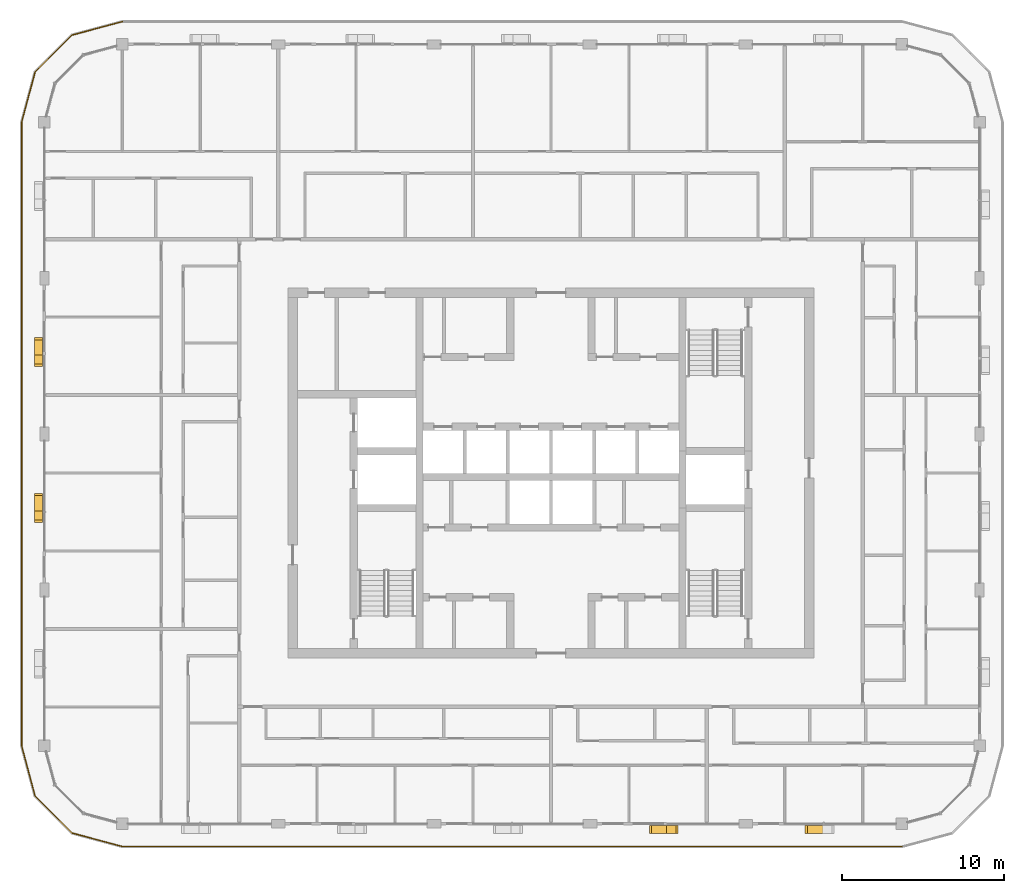
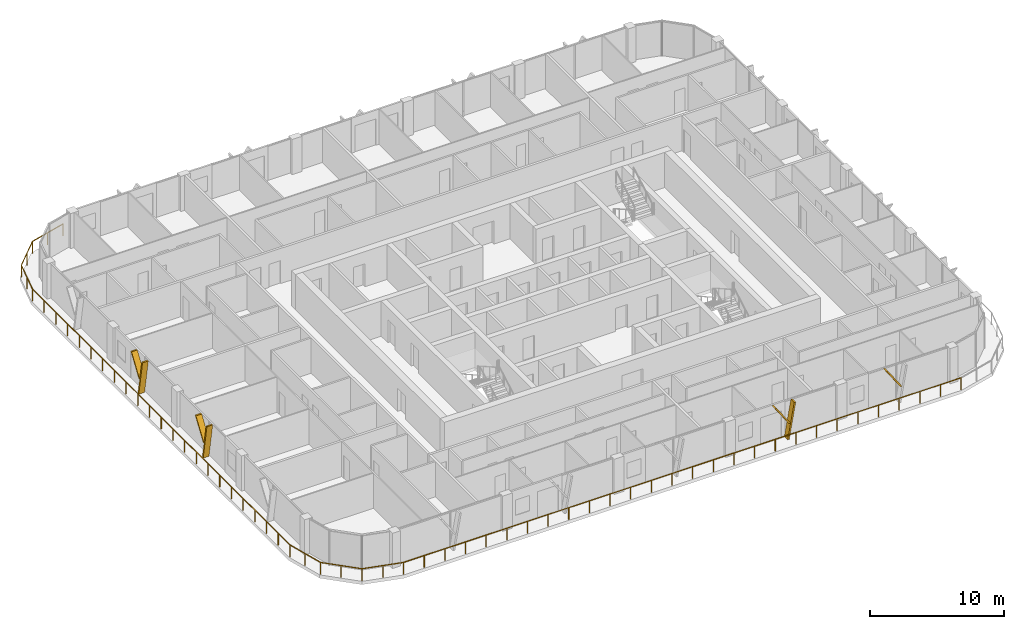
# One storey, part 17 of 21: 7 shading devices, 1 railing.
"""IFC4 building model written with IfcOpenShell, lengths in metres."""

from ifc_helpers import new_model, si_unit, direction, frame, origin, origin_2d, place, context, subcontext, project, spatial, polyline, circle, outline, extrude, material, type_object, element, save


model = new_model("IFC4")

# Units and contexts
model_context = context("Model", 3, precision=1e-05, world=origin(), true_north=direction((0.0, 1.0)))
body_context = subcontext(model_context, "Body", "Model", "MODEL_VIEW")
ifc_project = project(units=[si_unit("LENGTHUNIT", "METRE"), si_unit("AREAUNIT", "SQUARE_METRE"), si_unit("VOLUMEUNIT", "CUBIC_METRE"), si_unit("PLANEANGLEUNIT", "RADIAN"), si_unit("MASSUNIT", "GRAM", prefix="KILO")], contexts=[model_context])

# Site, building, storey
site_placement = place(None, origin())
site = spatial("IfcSite", under=ifc_project, at=site_placement, CompositionType="ELEMENT")
building_placement = place(site_placement, origin())
building = spatial("IfcBuilding", under=site, at=building_placement, Name="Madar Terraces", CompositionType="ELEMENT")
storey_placement = place(building_placement, frame((0.0, 0.0, 245.699951171875)))
storey = spatial("IfcBuildingStorey", under=building, at=storey_placement, Name="L64", CompositionType="ELEMENT", Elevation=245.699951171875)

# Railing
ifc_material_1 = material(Name="Glass, safety glazing, with stainless steel posts", Category="steel")
railing_type = type_object("IfcRailingType", Name="Balcony glass guard 1100", PredefinedType="GUARDRAIL", material=ifc_material_1)
railing_placement = place(storey_placement, frame((4.800048828125, 54.199951171875, 0.0)))
element("IfcRailing", 1, at=railing_placement, inside=storey, type_object=railing_type, Name="Balcony guard", PredefinedType="GUARDRAIL", context=body_context, shape_type="SweptSolid", body=[
    extrude(circle(Radius=0.02392578125, at=origin_2d()), frame((0.0, 0.0, 1.076171875), z_axis=(-0.9659337912, -0.258789317819, 0.0), x_axis=(0.258789317819, -0.9659337912, 0.0)), (0.0, 0.0, 1.0), 3.20947265625),
    extrude(circle(Radius=0.02392578125, at=origin_2d()), frame((-3.10009765625, -0.83056640625, 1.076171875), z_axis=(-0.707106781187, -0.707106781187, 0.0), x_axis=(0.707106781187, -0.707106781187, 0.0)), (0.0, 0.0, 1.0), 3.209228515625),
    extrude(circle(Radius=0.02392578125, at=origin_2d()), frame((-5.369384765625, -3.099853515625, 1.076171875), z_axis=(-0.258789317819, -0.9659337912, 0.0), x_axis=(0.9659337912, -0.258789317819, 0.0)), (0.0, 0.0, 1.0), 3.20947265625),
    extrude(circle(Radius=0.02392578125, at=origin_2d()), frame((-6.199951171875, -6.199951171875, 1.076171875), z_axis=(0.0, -1.0, 0.0), x_axis=(1.0, 0.0, 0.0)), (0.0, 0.0, 1.0), 38.39990234375),
    extrude(circle(Radius=0.02392578125, at=origin_2d()), frame((-6.199951171875, -44.599853515625, 1.076171875), z_axis=(0.258789317819, -0.9659337912, 0.0), x_axis=(0.9659337912, 0.258789317819, 0.0)), (0.0, 0.0, 1.0), 3.20947265625),
    extrude(circle(Radius=0.02392578125, at=origin_2d()), frame((-5.369384765625, -47.699951171875, 1.076171875), z_axis=(0.707106781187, -0.707106781187, 0.0), x_axis=(0.707106781187, 0.707106781187, 0.0)), (0.0, 0.0, 1.0), 3.209228515625),
    extrude(circle(Radius=0.02392578125, at=origin_2d()), frame((-3.10009765625, -49.96923828125, 1.076171875), z_axis=(0.965914773555, -0.258860290944, 0.0), x_axis=(0.258860290944, 0.965914773555, 0.0)), (0.0, 0.0, 1.0), 3.20947265625),
    extrude(circle(Radius=0.02392578125, at=origin_2d()), frame((0.0, -50.800048828125, 1.076171875), z_axis=(1.0, 0.0, 0.0), x_axis=(0.0, 1.0, 0.0)), (0.0, 0.0, 1.0), 48.0),
    extrude(circle(Radius=0.02099609375, at=origin_2d()), origin(), (0.0, 0.0, 1.0), 1.052001953125),
    extrude(circle(Radius=0.02099609375, at=origin_2d()), frame((-1.550048828125, -0.415283203125, 0.0)), (0.0, 0.0, 1.0), 1.052001953125),
    extrude(circle(Radius=0.02099609375, at=origin_2d()), frame((-3.10009765625, -0.83056640625, 0.0)), (0.0, 0.0, 1.0), 1.052001953125),
    extrude(circle(Radius=0.02099609375, at=origin_2d()), frame((-4.23486328125, -1.96533203125, 0.0)), (0.0, 0.0, 1.0), 1.052001953125),
    extrude(circle(Radius=0.02099609375, at=origin_2d()), frame((-5.369384765625, -3.099853515625, 0.0)), (0.0, 0.0, 1.0), 1.052001953125),
    extrude(circle(Radius=0.02099609375, at=origin_2d()), frame((-5.78466796875, -4.64990234375, 0.0)), (0.0, 0.0, 1.0), 1.052001953125),
    extrude(circle(Radius=0.02099609375, at=origin_2d()), frame((-6.199951171875, -6.199951171875, 0.0)), (0.0, 0.0, 1.0), 1.052001953125),
    extrude(circle(Radius=0.02099609375, at=origin_2d()), frame((-6.199951171875, -7.9453125, 0.0)), (0.0, 0.0, 1.0), 1.052001953125),
    extrude(circle(Radius=0.02099609375, at=origin_2d()), frame((-6.199951171875, -9.69091796875, 0.0)), (0.0, 0.0, 1.0), 1.052001953125),
    extrude(circle(Radius=0.02099609375, at=origin_2d()), frame((-6.199951171875, -11.436279296875, 0.0)), (0.0, 0.0, 1.0), 1.052001953125),
    extrude(circle(Radius=0.02099609375, at=origin_2d()), frame((-6.199951171875, -13.181640625, 0.0)), (0.0, 0.0, 1.0), 1.052001953125),
    extrude(circle(Radius=0.02099609375, at=origin_2d()), frame((-6.199951171875, -14.92724609375, 0.0)), (0.0, 0.0, 1.0), 1.052001953125),
    extrude(circle(Radius=0.02099609375, at=origin_2d()), frame((-6.199951171875, -16.672607421875, 0.0)), (0.0, 0.0, 1.0), 1.052001953125),
    extrude(circle(Radius=0.02099609375, at=origin_2d()), frame((-6.199951171875, -18.418212890625, 0.0)), (0.0, 0.0, 1.0), 1.052001953125),
    extrude(circle(Radius=0.02099609375, at=origin_2d()), frame((-6.199951171875, -20.16357421875, 0.0)), (0.0, 0.0, 1.0), 1.052001953125),
    extrude(circle(Radius=0.02099609375, at=origin_2d()), frame((-6.199951171875, -21.908935546875, 0.0)), (0.0, 0.0, 1.0), 1.052001953125),
    extrude(circle(Radius=0.02099609375, at=origin_2d()), frame((-6.199951171875, -23.654541015625, 0.0)), (0.0, 0.0, 1.0), 1.052001953125),
    extrude(circle(Radius=0.02099609375, at=origin_2d()), frame((-6.199951171875, -25.39990234375, 0.0)), (0.0, 0.0, 1.0), 1.052001953125),
    extrude(circle(Radius=0.02099609375, at=origin_2d()), frame((-6.199951171875, -27.145263671875, 0.0)), (0.0, 0.0, 1.0), 1.052001953125),
    extrude(circle(Radius=0.02099609375, at=origin_2d()), frame((-6.199951171875, -28.890869140625, 0.0)), (0.0, 0.0, 1.0), 1.052001953125),
    extrude(circle(Radius=0.02099609375, at=origin_2d()), frame((-6.199951171875, -30.63623046875, 0.0)), (0.0, 0.0, 1.0), 1.052001953125),
    extrude(circle(Radius=0.02099609375, at=origin_2d()), frame((-6.199951171875, -32.381591796875, 0.0)), (0.0, 0.0, 1.0), 1.052001953125),
    extrude(circle(Radius=0.02099609375, at=origin_2d()), frame((-6.199951171875, -34.127197265625, 0.0)), (0.0, 0.0, 1.0), 1.052001953125),
    extrude(circle(Radius=0.02099609375, at=origin_2d()), frame((-6.199951171875, -35.87255859375, 0.0)), (0.0, 0.0, 1.0), 1.052001953125),
    extrude(circle(Radius=0.02099609375, at=origin_2d()), frame((-6.199951171875, -37.6181640625, 0.0)), (0.0, 0.0, 1.0), 1.052001953125),
    extrude(circle(Radius=0.02099609375, at=origin_2d()), frame((-6.199951171875, -39.363525390625, 0.0)), (0.0, 0.0, 1.0), 1.052001953125),
    extrude(circle(Radius=0.02099609375, at=origin_2d()), frame((-6.199951171875, -41.10888671875, 0.0)), (0.0, 0.0, 1.0), 1.052001953125),
    extrude(circle(Radius=0.02099609375, at=origin_2d()), frame((-6.199951171875, -42.8544921875, 0.0)), (0.0, 0.0, 1.0), 1.052001953125),
    extrude(circle(Radius=0.02099609375, at=origin_2d()), frame((-6.199951171875, -44.599853515625, 0.0)), (0.0, 0.0, 1.0), 1.052001953125),
    extrude(circle(Radius=0.02099609375, at=origin_2d()), frame((-5.78466796875, -46.14990234375, 0.0)), (0.0, 0.0, 1.0), 1.052001953125),
    extrude(circle(Radius=0.02099609375, at=origin_2d()), frame((-5.369384765625, -47.699951171875, 0.0)), (0.0, 0.0, 1.0), 1.052001953125),
    extrude(circle(Radius=0.02099609375, at=origin_2d()), frame((-4.23486328125, -48.83447265625, 0.0)), (0.0, 0.0, 1.0), 1.052001953125),
    extrude(circle(Radius=0.02099609375, at=origin_2d()), frame((-3.10009765625, -49.96923828125, 0.0)), (0.0, 0.0, 1.0), 1.052001953125),
    extrude(circle(Radius=0.02099609375, at=origin_2d()), frame((-1.550048828125, -50.384765625, 0.0)), (0.0, 0.0, 1.0), 1.052001953125),
    extrude(circle(Radius=0.02099609375, at=origin_2d()), frame((0.0, -50.800048828125, 0.0)), (0.0, 0.0, 1.0), 1.052001953125),
    extrude(circle(Radius=0.02099609375, at=origin_2d()), frame((1.77783203125, -50.800048828125, 0.0)), (0.0, 0.0, 1.0), 1.052001953125),
    extrude(circle(Radius=0.02099609375, at=origin_2d()), frame((3.5556640625, -50.800048828125, 0.0)), (0.0, 0.0, 1.0), 1.052001953125),
    extrude(circle(Radius=0.02099609375, at=origin_2d()), frame((5.333251953125, -50.800048828125, 0.0)), (0.0, 0.0, 1.0), 1.052001953125),
    extrude(circle(Radius=0.02099609375, at=origin_2d()), frame((7.111083984375, -50.800048828125, 0.0)), (0.0, 0.0, 1.0), 1.052001953125),
    extrude(circle(Radius=0.02099609375, at=origin_2d()), frame((8.888916015625, -50.800048828125, 0.0)), (0.0, 0.0, 1.0), 1.052001953125),
    extrude(circle(Radius=0.02099609375, at=origin_2d()), frame((10.666748046875, -50.800048828125, 0.0)), (0.0, 0.0, 1.0), 1.052001953125),
    extrude(circle(Radius=0.02099609375, at=origin_2d()), frame((12.4443359375, -50.800048828125, 0.0)), (0.0, 0.0, 1.0), 1.052001953125),
    extrude(circle(Radius=0.02099609375, at=origin_2d()), frame((14.22216796875, -50.800048828125, 0.0)), (0.0, 0.0, 1.0), 1.052001953125),
    extrude(circle(Radius=0.02099609375, at=origin_2d()), frame((16.0, -50.800048828125, 0.0)), (0.0, 0.0, 1.0), 1.052001953125),
    extrude(circle(Radius=0.02099609375, at=origin_2d()), frame((17.77783203125, -50.800048828125, 0.0)), (0.0, 0.0, 1.0), 1.052001953125),
    extrude(circle(Radius=0.02099609375, at=origin_2d()), frame((19.5556640625, -50.800048828125, 0.0)), (0.0, 0.0, 1.0), 1.052001953125),
    extrude(circle(Radius=0.02099609375, at=origin_2d()), frame((21.333251953125, -50.800048828125, 0.0)), (0.0, 0.0, 1.0), 1.052001953125),
    extrude(circle(Radius=0.02099609375, at=origin_2d()), frame((23.111083984375, -50.800048828125, 0.0)), (0.0, 0.0, 1.0), 1.052001953125),
    extrude(circle(Radius=0.02099609375, at=origin_2d()), frame((24.888916015625, -50.800048828125, 0.0)), (0.0, 0.0, 1.0), 1.052001953125),
    extrude(circle(Radius=0.02099609375, at=origin_2d()), frame((26.666748046875, -50.800048828125, 0.0)), (0.0, 0.0, 1.0), 1.052001953125),
    extrude(circle(Radius=0.02099609375, at=origin_2d()), frame((28.4443359375, -50.800048828125, 0.0)), (0.0, 0.0, 1.0), 1.052001953125),
    extrude(circle(Radius=0.02099609375, at=origin_2d()), frame((30.22216796875, -50.800048828125, 0.0)), (0.0, 0.0, 1.0), 1.052001953125),
    extrude(circle(Radius=0.02099609375, at=origin_2d()), frame((32.0, -50.800048828125, 0.0)), (0.0, 0.0, 1.0), 1.052001953125),
    extrude(circle(Radius=0.02099609375, at=origin_2d()), frame((33.77783203125, -50.800048828125, 0.0)), (0.0, 0.0, 1.0), 1.052001953125),
    extrude(circle(Radius=0.02099609375, at=origin_2d()), frame((35.5556640625, -50.800048828125, 0.0)), (0.0, 0.0, 1.0), 1.052001953125),
    extrude(circle(Radius=0.02099609375, at=origin_2d()), frame((37.333251953125, -50.800048828125, 0.0)), (0.0, 0.0, 1.0), 1.052001953125),
    extrude(circle(Radius=0.02099609375, at=origin_2d()), frame((39.111083984375, -50.800048828125, 0.0)), (0.0, 0.0, 1.0), 1.052001953125),
    extrude(circle(Radius=0.02099609375, at=origin_2d()), frame((40.888916015625, -50.800048828125, 0.0)), (0.0, 0.0, 1.0), 1.052001953125),
    extrude(circle(Radius=0.02099609375, at=origin_2d()), frame((42.666748046875, -50.800048828125, 0.0)), (0.0, 0.0, 1.0), 1.052001953125),
    extrude(circle(Radius=0.02099609375, at=origin_2d()), frame((44.4443359375, -50.800048828125, 0.0)), (0.0, 0.0, 1.0), 1.052001953125),
    extrude(circle(Radius=0.02099609375, at=origin_2d()), frame((46.22216796875, -50.800048828125, 0.0)), (0.0, 0.0, 1.0), 1.052001953125),
    extrude(circle(Radius=0.02099609375, at=origin_2d()), frame((48.0, -50.800048828125, 0.0)), (0.0, 0.0, 1.0), 1.052001953125),
])

# Shading devices
ifc_material_2 = material(Name="Aluminium, black anodised", Category="aluminium")
shading_device_type = type_object("IfcShadingDeviceType", Name="Facade fin blade 140 x 500", PredefinedType="USERDEFINED", material=ifc_material_2)
shading_device_1_placement = place(storey_placement, frame((38.330078125, 4.449951171875, 0.0), z_axis=(0.0, 0.0, 1.0), x_axis=(1.0, 0.0, 0.0)))
element("IfcShadingDevice", 2, at=shading_device_1_placement, inside=storey, type_object=shading_device_type, Name="FIN L64 S4", ObjectType="FIN", PredefinedType="USERDEFINED", context=body_context, shape_type="SweptSolid", body=[
    extrude(outline(polyline([(0.0, 0.0), (0.139892578125, 0.0), (0.704345703125, 3.199951171875), (0.564208984375, 3.199951171875), (0.0, 0.0)])), frame((0.0, 0.25, 0.0), z_axis=(0.0, -1.0, 0.0), x_axis=(1.0, 0.0, 0.0)), (0.0, 0.0, 1.0), 0.5),
])
shading_device_2_placement = place(storey_placement, frame((38.44384765625, 4.449951171875, 1.43994140625), z_axis=(0.0, 0.0, 1.0), x_axis=(1.0, 0.0, 0.0)))
element("IfcShadingDevice", 3, at=shading_device_2_placement, inside=storey, type_object=shading_device_type, Name="FIN L64 S4 branch", ObjectType="FIN", PredefinedType="USERDEFINED", context=body_context, shape_type="SweptSolid", body=[
    extrude(outline(polyline([(0.0, 0.0), (0.14013671875, 0.0), (-1.049560546875, 1.760009765625), (-1.189697265625, 1.760009765625), (0.0, 0.0)])), frame((0.0, 0.25, 0.0), z_axis=(0.0, -1.0, 0.0), x_axis=(1.0, 0.0, 0.0)), (0.0, 0.0, 1.0), 0.5),
])
shading_device_3_placement = place(storey_placement, frame((48.0439453125, 4.449951171875, 1.43994140625), z_axis=(0.0, 0.0, 1.0), x_axis=(1.0, 0.0, 0.0)))
element("IfcShadingDevice", 4, at=shading_device_3_placement, inside=storey, type_object=shading_device_type, Name="FIN L64 S5 branch", ObjectType="FIN", PredefinedType="USERDEFINED", context=body_context, shape_type="SweptSolid", body=[
    extrude(outline(polyline([(0.0, 0.0), (0.139892578125, 0.0), (-1.049560546875, 1.760009765625), (-1.189697265625, 1.760009765625), (0.0, 0.0)])), frame((0.0, 0.25, 0.0), z_axis=(0.0, -1.0, 0.0), x_axis=(1.0, 0.0, 0.0)), (0.0, 0.0, 1.0), 0.5),
])
shading_device_4_placement = place(storey_placement, frame((-0.35009765625, 33.669921875, 0.0), z_axis=(0.0, 0.0, 1.0), x_axis=(0.0, -1.0, 0.0)))
element("IfcShadingDevice", 5, at=shading_device_4_placement, inside=storey, type_object=shading_device_type, Name="FIN L64 W2", ObjectType="FIN", PredefinedType="USERDEFINED", context=body_context, shape_type="SweptSolid", body=[
    extrude(outline(polyline([(0.0, 0.0), (0.139892578125, 0.0), (0.704345703125, 3.199951171875), (0.564208984375, 3.199951171875), (0.0, 0.0)])), frame((0.0, 0.25, 0.0), z_axis=(0.0, -1.0, 0.0), x_axis=(1.0, 0.0, 0.0)), (0.0, 0.0, 1.0), 0.5),
])
shading_device_5_placement = place(storey_placement, frame((-0.35009765625, 33.55615234375, 1.43994140625), z_axis=(0.0, 0.0, 1.0), x_axis=(0.0, -1.0, 0.0)))
element("IfcShadingDevice", 6, at=shading_device_5_placement, inside=storey, type_object=shading_device_type, Name="FIN L64 W2 branch", ObjectType="FIN", PredefinedType="USERDEFINED", context=body_context, shape_type="SweptSolid", body=[
    extrude(outline(polyline([(0.0, 0.0), (0.14013671875, 0.0), (-1.049560546875, 1.760009765625), (-1.189697265625, 1.760009765625), (0.0, 0.0)])), frame((0.0, 0.25, 0.0), z_axis=(0.0, -1.0, 0.0), x_axis=(1.0, 0.0, 0.0)), (0.0, 0.0, 1.0), 0.5),
])
shading_device_6_placement = place(storey_placement, frame((-0.35009765625, 24.070068359375, 0.0), z_axis=(0.0, 0.0, 1.0), x_axis=(0.0, -1.0, 0.0)))
element("IfcShadingDevice", 7, at=shading_device_6_placement, inside=storey, type_object=shading_device_type, Name="FIN L64 W3", ObjectType="FIN", PredefinedType="USERDEFINED", context=body_context, shape_type="SweptSolid", body=[
    extrude(outline(polyline([(0.0, 0.0), (0.14013671875, 0.0), (0.704345703125, 3.199951171875), (0.564208984375, 3.199951171875), (0.0, 0.0)])), frame((0.0, 0.25, 0.0), z_axis=(0.0, -1.0, 0.0), x_axis=(1.0, 0.0, 0.0)), (0.0, 0.0, 1.0), 0.5),
])
shading_device_7_placement = place(storey_placement, frame((-0.35009765625, 23.9560546875, 1.43994140625), z_axis=(0.0, 0.0, 1.0), x_axis=(0.0, -1.0, 0.0)))
element("IfcShadingDevice", 8, at=shading_device_7_placement, inside=storey, type_object=shading_device_type, Name="FIN L64 W3 branch", ObjectType="FIN", PredefinedType="USERDEFINED", context=body_context, shape_type="SweptSolid", body=[
    extrude(outline(polyline([(0.0, 0.0), (0.139892578125, 0.0), (-1.049560546875, 1.760009765625), (-1.189697265625, 1.760009765625), (0.0, 0.0)])), frame((0.0, 0.25, 0.0), z_axis=(0.0, -1.0, 0.0), x_axis=(1.0, 0.0, 0.0)), (0.0, 0.0, 1.0), 0.5),
])

save(model, "model.ifc")
